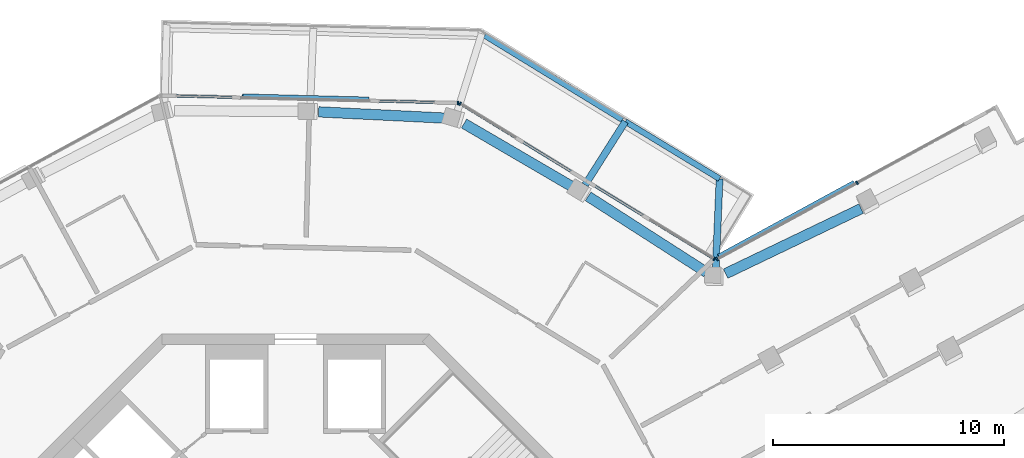
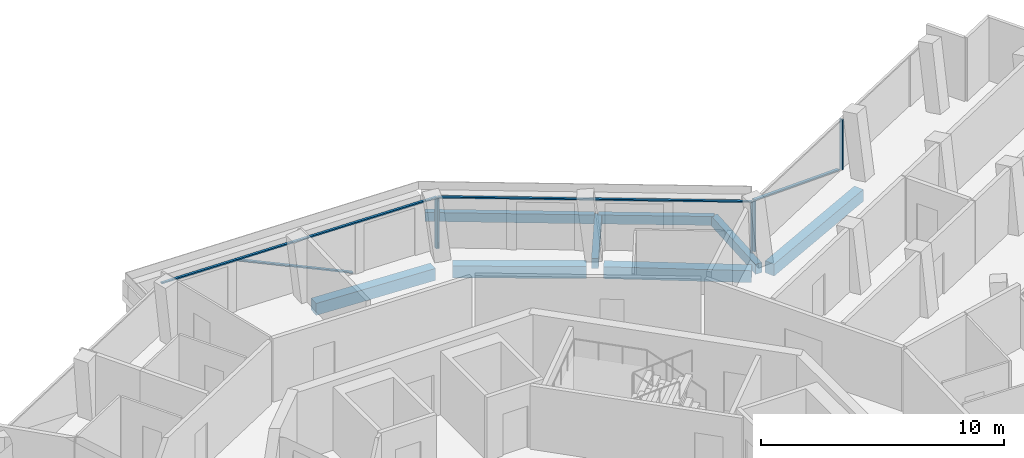
# One storey, part 8 of 24: 9 members, 8 beams, 3 elements without a shape of their own.
"""IFC4 building model written with IfcOpenShell, lengths in metres."""

import ifcopenshell
import ifcopenshell.guid

model = None  # the IFC model being written
_history = None  # IfcOwnerHistory: only IFC2X3 demands one
_inside = {}  # id of a spatial element -> (the spatial element, [elements in it])
_under = {}  # id of a project, library or spatial element -> (it, [spatial elements below it])
_declared = {}  # id of a project -> (the project, [libraries it declares])
_typed = {}  # id of a type object -> (the type object, [elements of that type])
_made_of = {}  # id of a material, layer set ... -> (it, [elements and type objects made of it])


def new_model(schema):
    """Start an empty IFC model of exactly this schema.

    Asked for "IFC4X3", IfcOpenShell would pick the latest addendum, in which some entities
    have other attributes; the version numbers below select the first issue.
    IFC2X3 requires an IfcOwnerHistory on every rooted entity: one is made here for all.
    """
    global model, _history
    if schema == "IFC4X3":
        model = ifcopenshell.file(schema_version=(4, 3, 0, 0))
    else:
        model = ifcopenshell.file(schema=schema)
    _inside.clear()
    _under.clear()
    _declared.clear()
    _typed.clear()
    _made_of.clear()
    _history = None
    if model.schema == "IFC2X3":
        org = make("IfcOrganization", Name="unknown")
        user = make(
            "IfcPersonAndOrganization",
            ThePerson=make("IfcPerson", FamilyName="unknown"),
            TheOrganization=org,
        )
        app = make(
            "IfcApplication",
            ApplicationDeveloper=org,
            Version="unknown",
            ApplicationFullName="unknown",
            ApplicationIdentifier="unknown",
        )
        _history = make(
            "IfcOwnerHistory",
            OwningUser=user,
            OwningApplication=app,
            ChangeAction="ADDED",
            CreationDate=0,
        )
    return model


def make(cls, **values):
    """One entity of the class cls with the attributes given. An attribute that is None is left unset."""
    return model.create_entity(
        cls, **{name: value for name, value in values.items() if value is not None}
    )


def rooted(cls, **values):
    """An entity with a GlobalId (a new one), such as an element, a storey or a relation."""
    return make(cls, GlobalId=ifcopenshell.guid.new(), OwnerHistory=_history, **values)


def si_unit(unit_type, name, prefix=None):
    """IfcSIUnit, for example si_unit("LENGTHUNIT", "METRE", prefix="MILLI")."""
    return make("IfcSIUnit", UnitType=unit_type, Prefix=prefix, Name=name)


def assignment(units):
    """IfcUnitAssignment: the units of a project."""
    return None if units is None else make("IfcUnitAssignment", Units=units)


def point(xyz):
    """IfcCartesianPoint."""
    return None if xyz is None else make("IfcCartesianPoint", Coordinates=xyz)


def direction(xyz):
    """IfcDirection."""
    return None if xyz is None else make("IfcDirection", DirectionRatios=xyz)


def frame(location, z_axis=None, x_axis=None):
    """IfcAxis2Placement3D, a coordinate frame: its origin and axes. An axis left out is left unset."""
    return make(
        "IfcAxis2Placement3D",
        Location=point(location),
        Axis=direction(z_axis),
        RefDirection=direction(x_axis),
    )


def frame_2d(location, x_axis=None):
    """IfcAxis2Placement2D, a coordinate frame in the plane: its origin and x axis."""
    return make(
        "IfcAxis2Placement2D", Location=point(location), RefDirection=direction(x_axis)
    )


def origin():
    """The frame at (0, 0, 0) with its axes left unset."""
    return frame((0.0, 0.0, 0.0))


def origin_2d():
    """The frame at (0, 0) in the plane with its x axis left unset."""
    return frame_2d((0.0, 0.0))


def place(relative_to, where):
    """IfcLocalPlacement: puts the frame where relative to a parent placement (None: the world)."""
    return make(
        "IfcLocalPlacement", PlacementRelTo=relative_to, RelativePlacement=where
    )


def context(
    kind, dimensions, precision=None, world=None, true_north=None, identifier=None
):
    """IfcGeometricRepresentationContext, for example the 3D "Model" context."""
    return make(
        "IfcGeometricRepresentationContext",
        ContextIdentifier=identifier,
        ContextType=kind,
        CoordinateSpaceDimension=dimensions,
        Precision=precision,
        WorldCoordinateSystem=world,
        TrueNorth=true_north,
    )


def subcontext(parent, identifier, kind, view, scale=None):
    """IfcGeometricRepresentationSubContext, for example "Body" below "Model"."""
    return make(
        "IfcGeometricRepresentationSubContext",
        ContextIdentifier=identifier,
        ContextType=kind,
        ParentContext=parent,
        TargetScale=scale,
        TargetView=view,
    )


def project(units=None, contexts=None):
    """IfcProject with its units and contexts."""
    return rooted(
        "IfcProject",
        Name="project",
        RepresentationContexts=contexts,
        UnitsInContext=assignment(units),
    )


def spatial(cls, under=None, at=None, **own):
    """A site, building, storey or space (cls), placed at a placement, below another one or the project."""
    s = rooted(cls, ObjectPlacement=at, **own)
    if under is not None:
        _under.setdefault(under.id(), (under, []))[1].append(s)
    return s


def profile(cls, at=None, kind="AREA", **sizes):
    """A parametric profile (cls). Its sizes go by their IFC names, for example OverallWidth=200.0."""
    return make(cls, ProfileType=kind, Position=at, **sizes)


def rectangle(**sizes):
    """IfcRectangleProfileDef."""
    return profile("IfcRectangleProfileDef", **sizes)


def extrude(swept, where, along, depth):
    """IfcExtrudedAreaSolid: the profile swept, set in the frame where, extruded along a direction by depth."""
    return make(
        "IfcExtrudedAreaSolid",
        SweptArea=swept,
        Position=where,
        ExtrudedDirection=direction(along),
        Depth=depth,
    )


def shape(context_of_items, identifier, shape_type, items):
    """IfcShapeRepresentation: the items that make up one representation, for example the "Body"."""
    return make(
        "IfcShapeRepresentation",
        ContextOfItems=context_of_items,
        RepresentationIdentifier=identifier,
        RepresentationType=shape_type,
        Items=items,
    )


def material(Name=None, Category=None):
    """IfcMaterial."""
    return make("IfcMaterial", Name=Name, Category=Category)


def layer(
    of_material, thickness, ventilated=None, Name=None, Category=None, Priority=None
):
    """IfcMaterialLayer: one layer of a wall or slab, of a material (None: an air gap)."""
    return make(
        "IfcMaterialLayer",
        Material=of_material,
        LayerThickness=thickness,
        IsVentilated=ventilated,
        Name=Name,
        Category=Category,
        Priority=Priority,
    )


def layer_set(layers, Name=None):
    """IfcMaterialLayerSet."""
    return make("IfcMaterialLayerSet", MaterialLayers=layers, LayerSetName=Name)


def material_profile(
    of_material, cross_section, Name=None, Category=None, Priority=None
):
    """IfcMaterialProfile: a cross section and its material."""
    return make(
        "IfcMaterialProfile",
        Name=Name,
        Material=of_material,
        Profile=cross_section,
        Priority=Priority,
        Category=Category,
    )


def profile_set(profiles, Name=None, composite=None):
    """IfcMaterialProfileSet."""
    return make(
        "IfcMaterialProfileSet",
        Name=Name,
        MaterialProfiles=profiles,
        CompositeProfile=composite,
    )


def made_of(thing, what):
    """Note that an element or type object is made of a material, layer set ...; save() writes the relation."""
    if what is not None:
        _made_of.setdefault(what.id(), (what, []))[1].append(thing)
    return thing


def type_object(cls, material=None, **own):
    """A type object (cls), such as IfcWallType, which elements share."""
    return made_of(rooted(cls, **own), material)


def element(
    cls,
    number,
    at=None,
    inside=None,
    cuts=None,
    type_object=None,
    material=None,
    context=None,
    identifier="Body",
    shape_type=None,
    held_by="IfcProductDefinitionShape",
    body=None,
    shapes=None,
    **own,
):
    """One element of the class cls, such as IfcWall. Its Tag is "e" and its number.

    at: its placement. inside: the storey or other place that contains it. cuts: it is an
    opening in that element (IfcRelVoidsElement). A single representation is given by context,
    identifier, shape_type and body (its items); several are given by shapes. held_by: the class
    of the entity that holds the representations. save() writes the other relations.
    """
    e = rooted(cls, Tag="e%d" % number, ObjectPlacement=at, **own)
    if body is not None:
        shapes = [shape(context, identifier, shape_type, body)]
    if shapes is not None:
        e.Representation = make(held_by, Representations=shapes)
    if inside is not None:
        _inside.setdefault(inside.id(), (inside, []))[1].append(e)
    if cuts is not None:
        rooted(
            "IfcRelVoidsElement", RelatingBuildingElement=cuts, RelatedOpeningElement=e
        )
    if type_object is not None:
        _typed.setdefault(type_object.id(), (type_object, []))[1].append(e)
    return made_of(e, material)


def aggregate(whole, parts):
    """IfcRelAggregates: a whole, such as a stair, and the parts it consists of."""
    return rooted("IfcRelAggregates", RelatingObject=whole, RelatedObjects=parts)


def save(model, path):
    """Write the relations noted so far, then the file.

    IfcRelAggregates (storeys below a building ...), IfcRelContainedInSpatialStructure (elements
    in a storey), IfcRelDefinesByType, IfcRelAssociatesMaterial and IfcRelDeclares: one each for
    every whole, place, type object, material and project.
    """
    for whole, parts in _under.values():
        aggregate(whole, parts)
    for where, things in _inside.values():
        rooted(
            "IfcRelContainedInSpatialStructure",
            RelatedElements=things,
            RelatingStructure=where,
        )
    for kind, things in _typed.values():
        rooted("IfcRelDefinesByType", RelatedObjects=things, RelatingType=kind)
    for what, things in _made_of.values():
        rooted("IfcRelAssociatesMaterial", RelatedObjects=things, RelatingMaterial=what)
    for by, libraries in _declared.values():
        rooted("IfcRelDeclares", RelatingContext=by, RelatedDefinitions=libraries)
    model.write(path)


model = new_model("IFC4")

# Units and contexts
model_context = context("Model", 3, precision=1e-05, world=origin(), true_north=direction((0.0, 1.0)))
body_context = subcontext(model_context, "Body", "Model", "MODEL_VIEW")
ifc_project = project(units=[si_unit("LENGTHUNIT", "METRE"), si_unit("AREAUNIT", "SQUARE_METRE"), si_unit("VOLUMEUNIT", "CUBIC_METRE"), si_unit("PLANEANGLEUNIT", "RADIAN"), si_unit("MASSUNIT", "GRAM", prefix="KILO")], contexts=[model_context])

# Site, building, storey
site_placement = place(None, origin())
site = spatial("IfcSite", under=ifc_project, at=site_placement, CompositionType="ELEMENT")
building_placement = place(site_placement, origin())
building = spatial("IfcBuilding", under=site, at=building_placement, Name="Verdalira Terraces Hotel", CompositionType="ELEMENT")
storey_placement = place(building_placement, frame((0.0, 0.0, 274.0)))
storey = spatial("IfcBuildingStorey", under=building, at=storey_placement, Name="L67", CompositionType="ELEMENT", Elevation=274.0)

# Beams
ifc_material_1 = material(Name="Concrete C40", Category="concrete")
ifc_material_profile_1 = material_profile(ifc_material_1, rectangle(XDim=0.300049, YDim=0.5, at=origin_2d()), Name="RC 300X500")
ifc_profile_set_1 = profile_set([ifc_material_profile_1], Name="Concrete C40")
beam_type_1 = type_object("IfcBeamType", Name="Balcony cantilever beam RC 300X500 C40", PredefinedType="BEAM", material=ifc_profile_set_1)
beam_1_placement = place(storey_placement, frame((18.208984, 16.782959, -0.560059), z_axis=(0.041905625, 0.999121573, 0.0), x_axis=(-0.999121573, 0.041905625, 0.0)))
element("IfcBeam", 1, at=beam_1_placement, inside=storey, type_object=beam_type_1, Name="Balcony cantilever beam R39-1", PredefinedType="BEAM", context=body_context, shape_type="SweptSolid", body=[
    extrude(rectangle(XDim=0.300049, YDim=0.5, at=origin_2d()), origin(), (0.0, 0.0, 1.0), 3.949951),
])
beam_2_placement = place(storey_placement, frame((12.548584, 20.467529, -0.560059), z_axis=(0.535859446, 0.844307203, 0.0), x_axis=(-0.844307203, 0.535859446, 0.0)))
element("IfcBeam", 2, at=beam_2_placement, inside=storey, type_object=beam_type_1, Name="Balcony cantilever beam R39-2", PredefinedType="BEAM", context=body_context, shape_type="SweptSolid", body=[
    extrude(rectangle(XDim=0.300049, YDim=0.5, at=origin_2d()), origin(), (0.0, 0.0, 1.0), 3.250732),
])
ifc_material_2 = material(Name="Concrete C40", Category="concrete")
ifc_material_profile_2 = material_profile(ifc_material_2, rectangle(XDim=0.25, YDim=0.449951, at=origin_2d()), Name="RC 250X450")
ifc_profile_set_2 = profile_set([ifc_material_profile_2], Name="Concrete C40")
beam_type_2 = type_object("IfcBeamType", Name="Balcony edge beam RC 250X450 C40", PredefinedType="BEAM", material=ifc_profile_set_2)
beam_3_placement = place(storey_placement, frame((18.374512, 20.729492, -0.534912), z_axis=(-0.854499268, 0.519452598, 0.0), x_axis=(-0.519452598, -0.854499268, 0.0)))
element("IfcBeam", 3, at=beam_3_placement, inside=storey, type_object=beam_type_2, Name="Balcony edge beam R39-1", PredefinedType="BEAM", context=body_context, shape_type="SweptSolid", body=[
    extrude(rectangle(XDim=0.25, YDim=0.449951, at=origin_2d()), origin(), (0.0, 0.0, 1.0), 4.779297),
])
beam_4_placement = place(storey_placement, frame((14.162598, 23.290527, -0.534912), z_axis=(-0.85274975, 0.522319696, 0.0), x_axis=(-0.522319696, -0.85274975, 0.0)))
element("IfcBeam", 4, at=beam_4_placement, inside=storey, type_object=beam_type_2, Name="Balcony edge beam R39-2", PredefinedType="BEAM", context=body_context, shape_type="SweptSolid", body=[
    extrude(rectangle(XDim=0.25, YDim=0.449951, at=origin_2d()), origin(), (0.0, 0.0, 1.0), 6.992432),
])

# Curtain wall, members
ifc_material_3 = material(Name="Clear glass", Category="glass")
ifc_layer_1 = layer(ifc_material_3, 0.14990234375)
ifc_layer_set_1 = layer_set([ifc_layer_1], Name="CW1 curtain wall")
curtain_wall_type_1 = type_object("IfcCurtainWallType", Name="CW1 curtain wall", PredefinedType="NOTDEFINED", material=ifc_layer_set_1)
curtain_wall_1_placement = place(storey_placement, origin())
curtain_wall_1 = element("IfcCurtainWall", 5, at=curtain_wall_1_placement, inside=storey, type_object=curtain_wall_type_1, Name="CW1 curtain wall L67 edge 39", PredefinedType="NOTDEFINED")
ifc_material_4 = material(Name="Terracotta frame", Category="masonry")
ifc_material_profile_3 = material_profile(ifc_material_4, rectangle(XDim=0.060059, YDim=0.149902, at=origin_2d()), Name="MU 60x150")
ifc_profile_set_3 = profile_set([ifc_material_profile_3], Name="Terracotta frame")
member_type_1 = type_object("IfcMemberType", Name="CW1 mullion 60x150", PredefinedType="MULLION", material=ifc_profile_set_3)
member_1_placement = place(storey_placement, frame((18.134277, 17.258057, 0.0), z_axis=(0.0, 0.0, 1.0), x_axis=(-0.853186856, 0.521605396, 0.0)))
member_1 = element("IfcMember", 6, at=member_1_placement, type_object=member_type_1, Name="CW1 mullion", PredefinedType="MULLION", context=body_context, shape_type="SweptSolid", body=[
    extrude(rectangle(XDim=0.060059, YDim=0.149902, at=origin_2d()), origin(), (0.0, 0.0, 1.0), 2.524902),
])
member_2_placement = place(storey_placement, frame((7.128418, 23.986816, 0.0), z_axis=(0.0, 0.0, 1.0), x_axis=(-0.853186856, 0.521605396, 0.0)))
member_2 = element("IfcMember", 7, at=member_2_placement, type_object=member_type_1, Name="CW1 mullion", PredefinedType="MULLION", context=body_context, shape_type="SweptSolid", body=[
    extrude(rectangle(XDim=0.060059, YDim=0.149902, at=origin_2d()), origin(), (0.0, 0.0, 1.0), 2.524902),
])

# Curtain wall, member
curtain_wall_2_placement = place(storey_placement, origin())
curtain_wall_2 = element("IfcCurtainWall", 8, at=curtain_wall_2_placement, inside=storey, type_object=curtain_wall_type_1, Name="CW1 curtain wall L67 edge 40", PredefinedType="NOTDEFINED")
member_3_placement = place(storey_placement, frame((7.0354, 24.01416, 0.0), z_axis=(0.0, 0.0, 1.0), x_axis=(-0.999684189, 0.025130095, 0.0)))
member_3 = element("IfcMember", 9, at=member_3_placement, type_object=member_type_1, Name="CW1 mullion", PredefinedType="MULLION", context=body_context, shape_type="SweptSolid", body=[
    extrude(rectangle(XDim=0.060059, YDim=0.149902, at=origin_2d()), origin(), (0.0, 0.0, 1.0), 2.524902),
])

# Member
ifc_material_5 = material(Name="Terracotta frame", Category="masonry")
ifc_material_profile_4 = material_profile(ifc_material_5, rectangle(XDim=0.110107, YDim=0.064941, at=origin_2d()), Name="TR 65x110")
ifc_profile_set_4 = profile_set([ifc_material_profile_4], Name="Terracotta frame")
member_type_2 = type_object("IfcMemberType", Name="CW1 transom 65x110", PredefinedType="USERDEFINED", material=ifc_profile_set_4)
member_4_placement = place(storey_placement, frame((18.159912, 17.242432, 2.557617), z_axis=(-0.853183098, 0.521611543, 0.0), x_axis=(-0.521611543, -0.853183098, 0.0)))
member_4 = element("IfcMember", 10, at=member_4_placement, type_object=member_type_2, Name="CW1 transom", ObjectType="TRANSOM", PredefinedType="USERDEFINED", context=body_context, shape_type="SweptSolid", body=[
    extrude(rectangle(XDim=0.110107, YDim=0.064941, at=origin_2d()), origin(), (0.0, 0.0, 1.0), 12.959961),
])

aggregate(curtain_wall_1, [member_1, member_2, member_4])

member_5_placement = place(storey_placement, frame((7.06543, 24.013428, 2.557617), z_axis=(-0.999684119, 0.025132885, 0.0), x_axis=(-0.025132885, -0.999684119, 0.0)))
member_5 = element("IfcMember", 11, at=member_5_placement, type_object=member_type_2, Name="CW1 transom", ObjectType="TRANSOM", PredefinedType="USERDEFINED", context=body_context, shape_type="SweptSolid", body=[
    extrude(rectangle(XDim=0.110107, YDim=0.064941, at=origin_2d()), origin(), (0.0, 0.0, 1.0), 12.919678),
])

# Curtain wall, members
ifc_material_6 = material(Name="Clear glass", Category="glass")
ifc_layer_2 = layer(ifc_material_6, 0.14990234375)
ifc_layer_set_2 = layer_set([ifc_layer_2], Name="CW2 curtain wall")
curtain_wall_type_2 = type_object("IfcCurtainWallType", Name="CW2 curtain wall", PredefinedType="NOTDEFINED", material=ifc_layer_set_2)
curtain_wall_3_placement = place(storey_placement, origin())
curtain_wall_3 = element("IfcCurtainWall", 12, at=curtain_wall_3_placement, inside=storey, type_object=curtain_wall_type_2, Name="CW2 curtain wall L67 edge 38", PredefinedType="NOTDEFINED")
ifc_material_7 = material(Name="Terracotta frame", Category="masonry")
ifc_material_profile_5 = material_profile(ifc_material_7, rectangle(XDim=0.070068, YDim=0.149902, at=origin_2d()), Name="MU 70x150")
ifc_profile_set_5 = profile_set([ifc_material_profile_5], Name="Terracotta frame")
member_type_3 = type_object("IfcMemberType", Name="CW2 mullion 70x150", PredefinedType="MULLION", material=ifc_profile_set_5)
member_6_placement = place(storey_placement, frame((24.331543, 20.559082, 0.0), z_axis=(0.0, 0.0, 1.0), x_axis=(-0.878316951, -0.478078794, 0.0)))
member_6 = element("IfcMember", 13, at=member_6_placement, type_object=member_type_3, Name="CW2 mullion", PredefinedType="MULLION", context=body_context, shape_type="SweptSolid", body=[
    extrude(rectangle(XDim=0.070068, YDim=0.149902, at=origin_2d()), origin(), (0.0, 0.0, 1.0), 2.524902),
])
member_7_placement = place(storey_placement, frame((18.265625, 17.257324, 0.0), z_axis=(0.0, 0.0, 1.0), x_axis=(-0.878316951, -0.478078794, 0.0)))
member_7 = element("IfcMember", 14, at=member_7_placement, type_object=member_type_3, Name="CW2 mullion", PredefinedType="MULLION", context=body_context, shape_type="SweptSolid", body=[
    extrude(rectangle(XDim=0.070068, YDim=0.149902, at=origin_2d()), origin(), (0.0, 0.0, 1.0), 2.524902),
])
ifc_material_8 = material(Name="Terracotta frame", Category="masonry")
ifc_material_profile_6 = material_profile(ifc_material_8, rectangle(XDim=0.149902, YDim=0.060059, at=origin_2d()), Name="GB 60x150")
ifc_profile_set_6 = profile_set([ifc_material_profile_6], Name="Terracotta frame")
member_type_4 = type_object("IfcMemberType", Name="Diagonal glazing bar 60x150", PredefinedType="USERDEFINED", material=ifc_profile_set_6)
member_8_placement = place(storey_placement, frame((24.188721, 20.584961, 0.028809), z_axis=(-0.823923469, -0.448455994, 0.346464053), x_axis=(0.478065838, -0.878324003, 0.0)))
member_8 = element("IfcMember", 15, at=member_8_placement, type_object=member_type_4, Name="Diagonal glazing bar", ObjectType="GLAZING BAR", PredefinedType="USERDEFINED", context=body_context, shape_type="SweptSolid", body=[
    extrude(rectangle(XDim=0.149902, YDim=0.060059, at=origin_2d()), origin(), (0.0, 0.0, 1.0), 7.121338),
])
aggregate(curtain_wall_3, [member_6, member_7, member_8])

# Member
member_9_placement = place(storey_placement, frame((3.159912, 24.200684, 0.028076), z_axis=(-0.910939428, 0.022892633, 0.411904462), x_axis=(-0.025122864, -0.999684371, 0.0)))
member_9 = element("IfcMember", 16, at=member_9_placement, type_object=member_type_4, Name="Diagonal glazing bar", ObjectType="GLAZING BAR", PredefinedType="USERDEFINED", context=body_context, shape_type="SweptSolid", body=[
    extrude(rectangle(XDim=0.149902, YDim=0.060059, at=origin_2d()), origin(), (0.0, 0.0, 1.0), 5.993408),
])

aggregate(curtain_wall_2, [member_3, member_5, member_9])

# Beams
ifc_material_9 = material(Name="Concrete C40", Category="concrete")
ifc_material_profile_7 = material_profile(ifc_material_9, rectangle(XDim=0.449951, YDim=0.600098, at=origin_2d()), Name="RC 450X600")
ifc_profile_set_7 = profile_set([ifc_material_profile_7], Name="Concrete C40")
beam_type_3 = type_object("IfcBeamType", Name="Spandrel beam RC 450X600 C40", PredefinedType="SPANDREL", material=ifc_profile_set_7)
beam_5_placement = place(storey_placement, frame((24.511719, 19.438965, -0.610107), z_axis=(-0.901534751, -0.432706704, 0.0), x_axis=(0.432706704, -0.901534751, 0.0)))
element("IfcBeam", 17, at=beam_5_placement, inside=storey, type_object=beam_type_3, Name="Spandrel beam B23", PredefinedType="SPANDREL", context=body_context, shape_type="SweptSolid", body=[
    extrude(rectangle(XDim=0.449951, YDim=0.600098, at=origin_2d()), origin(), (0.0, 0.0, 1.0), 6.515625),
])
beam_6_placement = place(storey_placement, frame((17.808105, 16.673584, -0.610107), z_axis=(-0.841372245, 0.540456052, 0.0), x_axis=(-0.540456052, -0.841372245, 0.0)))
element("IfcBeam", 18, at=beam_6_placement, inside=storey, type_object=beam_type_3, Name="Spandrel beam B24", PredefinedType="SPANDREL", context=body_context, shape_type="SweptSolid", body=[
    extrude(rectangle(XDim=0.449951, YDim=0.600098, at=origin_2d()), origin(), (0.0, 0.0, 1.0), 6.0979),
])
beam_7_placement = place(storey_placement, frame((12.068115, 20.342285, -0.610107), z_axis=(-0.863527004, 0.5043026, 0.0), x_axis=(-0.5043026, -0.863527004, 0.0)))
element("IfcBeam", 19, at=beam_7_placement, inside=storey, type_object=beam_type_3, Name="Spandrel beam B25", PredefinedType="SPANDREL", context=body_context, shape_type="SweptSolid", body=[
    extrude(rectangle(XDim=0.449951, YDim=0.600098, at=origin_2d()), origin(), (0.0, 0.0, 1.0), 5.52124),
])
beam_8_placement = place(storey_placement, frame((6.512207, 23.359131, -0.610107), z_axis=(-0.998780613, 0.04936888, 0.0), x_axis=(-0.04936888, -0.998780613, 0.0)))
element("IfcBeam", 20, at=beam_8_placement, inside=storey, type_object=beam_type_3, Name="Spandrel beam B26", PredefinedType="SPANDREL", context=body_context, shape_type="SweptSolid", body=[
    extrude(rectangle(XDim=0.449951, YDim=0.600098, at=origin_2d()), origin(), (0.0, 0.0, 1.0), 5.523926),
])

save(model, "model.ifc")
